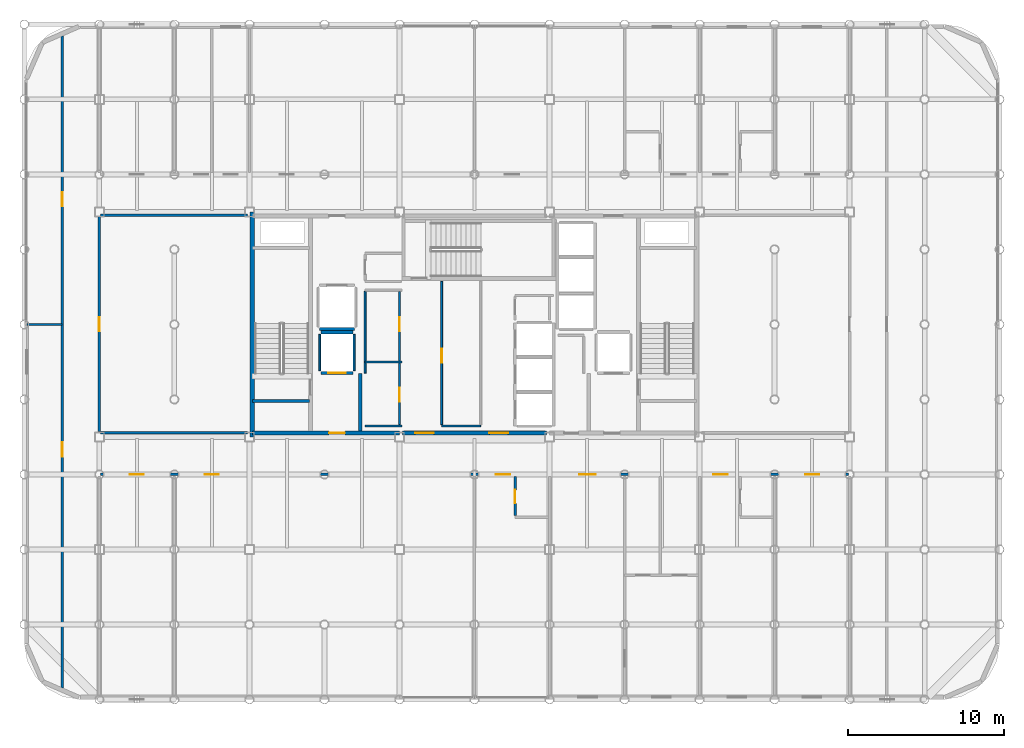
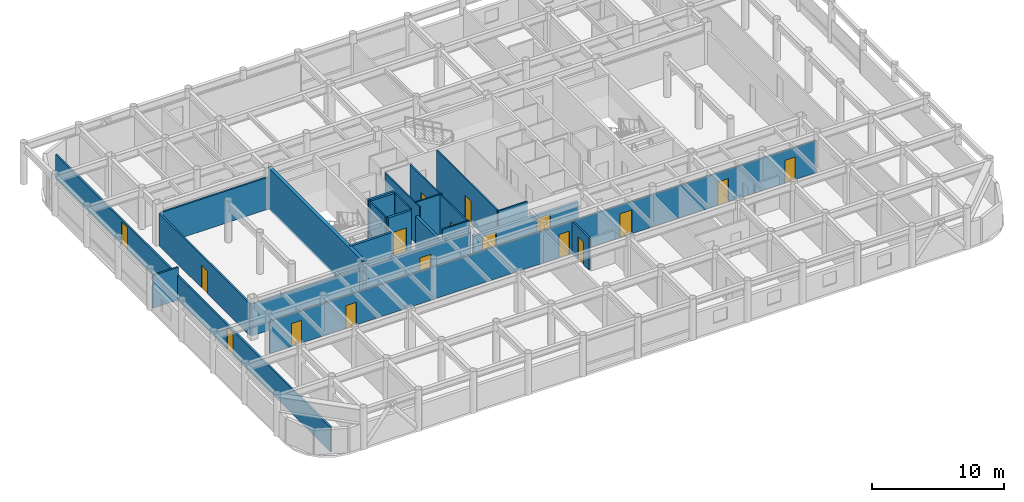
# One storey, part 17 of 21: 23 walls, 17 doors, 17 openings.
"""IFC4 building model written with IfcOpenShell, lengths in metres."""

from ifc_helpers import new_model, si_unit, direction, frame, frame_2d, origin, place, context, subcontext, project, spatial, rectangle, extrude, material, layer, layer_set, type_object, element, fill, save


model = new_model("IFC4")

# Units and contexts
model_context = context("Model", 3, precision=1e-05, world=origin(), true_north=direction((0.0, 1.0)))
body_context = subcontext(model_context, "Body", "Model", "MODEL_VIEW")
ifc_project = project(units=[si_unit("LENGTHUNIT", "METRE"), si_unit("AREAUNIT", "SQUARE_METRE"), si_unit("VOLUMEUNIT", "CUBIC_METRE"), si_unit("PLANEANGLEUNIT", "RADIAN"), si_unit("MASSUNIT", "GRAM", prefix="KILO")], contexts=[model_context])

# Site, building, storey
site_placement = place(None, origin())
site = spatial("IfcSite", under=ifc_project, at=site_placement, CompositionType="ELEMENT")
building_placement = place(site_placement, origin())
building = spatial("IfcBuilding", under=site, at=building_placement, Name="Kallvorn Hotel Tower", CompositionType="ELEMENT")
storey_placement = place(building_placement, frame((0.0, 0.0, 210.75)))
storey = spatial("IfcBuildingStorey", under=building, at=storey_placement, Name="L52", CompositionType="ELEMENT", Elevation=210.75)

# Wall
ifc_material_1 = material(Name="Concrete C50/60", Category="concrete")
ifc_layer_1 = layer(ifc_material_1, 0.300048828125)
ifc_layer_set_1 = layer_set([ifc_layer_1], Name="WL_CORE_300")
wall_type_1 = type_object("IfcWallType", Name="WL_CORE_300", PredefinedType="SHEAR", material=ifc_layer_set_1)
wall_1_placement = place(storey_placement, frame((-14.215087890625, -7.199951171875, -0.179931640625), z_axis=(0.0, 0.0, 1.0), x_axis=(0.0, 1.0, 0.0)))
element("IfcWall", 1, at=wall_1_placement, inside=storey, type_object=wall_type_1, Name="L52 Core West Shear Wall", PredefinedType="SHEAR", context=body_context, shape_type="SweptSolid", body=[
    extrude(rectangle(XDim=14.39990234375, YDim=0.300048828125, at=frame_2d((7.199951171875, 0.0))), origin(), (0.0, 0.0, 1.0), 3.849853515625),
])

# Wall, openings, doors
ifc_material_2 = material(Name="Fire-rated double-layer acoustic gypsum drywall EI 60")
ifc_layer_2 = layer(ifc_material_2, 0.159912109375)
ifc_layer_set_2 = layer_set([ifc_layer_2], Name="WL_DEMISE_160")
wall_type_2 = type_object("IfcWallType", Name="WL_DEMISE_160", PredefinedType="PARTITIONING", material=ifc_layer_set_2)
wall_2_placement = place(storey_placement, frame((-23.919921875, -9.60009765625, 0.0), z_axis=(0.0, 0.0, 1.0), x_axis=(1.0, 0.0, 0.0)))
wall_2 = element("IfcWall", 2, at=wall_2_placement, inside=storey, type_object=wall_type_2, Name="L52 Suite 5201 Deluxe King Room Partition", PredefinedType="PARTITIONING", context=body_context, shape_type="SweptSolid", body=[
    extrude(rectangle(XDim=47.83984375, YDim=0.159912109375, at=frame_2d((23.919921875, 0.0))), origin(), (0.0, 0.0, 1.0), 2.969970703125),
])
opening_1_placement = place(wall_2_placement, frame((1.8701171875, 0.0, 0.0)))
opening_1 = element("IfcOpeningElement", 3, at=opening_1_placement, cuts=wall_2, Name="Opening SVD1", PredefinedType="OPENING", context=body_context, shape_type="SweptSolid", body=[
    extrude(rectangle(XDim=0.89990234375, YDim=2.10009765625, at=frame_2d((0.449951171875, 1.050048828125))), frame((0.0, 0.094970703125, 0.0), z_axis=(0.0, -1.0, 0.0), x_axis=(1.0, 0.0, 0.0)), (0.0, 0.0, 1.0), 0.18994140625),
])
opening_2_placement = place(wall_2_placement, frame((45.070068359375, 0.0, 0.0)))
opening_2 = element("IfcOpeningElement", 4, at=opening_2_placement, cuts=wall_2, Name="Opening SVD1", PredefinedType="OPENING", context=body_context, shape_type="SweptSolid", body=[
    extrude(rectangle(XDim=0.89990234375, YDim=2.10009765625, at=frame_2d((0.449951171875, 1.050048828125))), frame((0.0, 0.094970703125, 0.0), z_axis=(0.0, -1.0, 0.0), x_axis=(1.0, 0.0, 0.0)), (0.0, 0.0, 1.0), 0.18994140625),
])
opening_3_placement = place(wall_2_placement, frame((6.669921875, 0.0, 0.0)))
opening_3 = element("IfcOpeningElement", 5, at=opening_3_placement, cuts=wall_2, Name="Opening SVD1", PredefinedType="OPENING", context=body_context, shape_type="SweptSolid", body=[
    extrude(rectangle(XDim=0.89990234375, YDim=2.10009765625, at=frame_2d((0.449951171875, 1.050048828125))), frame((0.0, 0.094970703125, 0.0), z_axis=(0.0, -1.0, 0.0), x_axis=(1.0, 0.0, 0.0)), (0.0, 0.0, 1.0), 0.18994140625),
])
opening_4_placement = place(wall_2_placement, frame((25.2900390625, 0.0, 0.0)))
opening_4 = element("IfcOpeningElement", 6, at=opening_4_placement, cuts=wall_2, Name="Opening GD1", PredefinedType="OPENING", context=body_context, shape_type="SweptSolid", body=[
    extrude(rectangle(XDim=0.919921875, YDim=2.14990234375, at=frame_2d((0.4599609375, 1.074951171875))), frame((0.0, 0.094970703125, 0.0), z_axis=(0.0, -1.0, 0.0), x_axis=(1.0, 0.0, 0.0)), (0.0, 0.0, 1.0), 0.18994140625),
])
opening_5_placement = place(wall_2_placement, frame((30.635009765625, 0.0, 0.0)))
opening_5 = element("IfcOpeningElement", 7, at=opening_5_placement, cuts=wall_2, Name="Opening GD2", PredefinedType="OPENING", context=body_context, shape_type="SweptSolid", body=[
    extrude(rectangle(XDim=1.050048828125, YDim=2.199951171875, at=frame_2d((0.52490234375, 1.10009765625))), frame((0.0, 0.094970703125, 0.0), z_axis=(0.0, -1.0, 0.0), x_axis=(1.0, 0.0, 0.0)), (0.0, 0.0, 1.0), 0.18994140625),
])
opening_6_placement = place(wall_2_placement, frame((39.195068359375, 0.0, 0.0)))
opening_6 = element("IfcOpeningElement", 8, at=opening_6_placement, cuts=wall_2, Name="Opening GD1", PredefinedType="OPENING", context=body_context, shape_type="SweptSolid", body=[
    extrude(rectangle(XDim=0.919921875, YDim=2.14990234375, at=frame_2d((0.4599609375, 1.074951171875))), frame((0.0, 0.094970703125, 0.0), z_axis=(0.0, -1.0, 0.0), x_axis=(1.0, 0.0, 0.0)), (0.0, 0.0, 1.0), 0.18994140625),
])
ifc_material_3 = material(Name="Solid-core walnut veneer fire-rated timber door leaf", Category="wood")
door_type_1 = type_object("IfcDoorType", Name="DR_GUEST_920x2150", OperationType="NOTDEFINED", PredefinedType="DOOR", material=ifc_material_3)
door_1_placement = place(opening_4_placement, origin())
door_1 = element("IfcDoor", 9, at=door_1_placement, inside=storey, type_object=door_type_1, Name="L52 Suite 5201 Deluxe King Room Door", OperationType="SINGLE_SWING_RIGHT", OverallHeight=2.14990234375, OverallWidth=0.919921875, PredefinedType="DOOR", context=body_context, shape_type="SweptSolid", body=[
    extrude(rectangle(XDim=0.919921875, YDim=2.14990234375, at=frame_2d((0.4599609375, 1.074951171875))), frame((0.0, 0.02490234375, 0.0), z_axis=(0.0, -1.0, 0.0), x_axis=(1.0, 0.0, 0.0)), (0.0, 0.0, 1.0), 0.050048828125),
])
fill(opening_4, door_1)
door_2_placement = place(opening_6_placement, origin())
door_2 = element("IfcDoor", 10, at=door_2_placement, inside=storey, type_object=door_type_1, Name="L52 Suite 5203 Superior Twin Room Door", OperationType="SINGLE_SWING_RIGHT", OverallHeight=2.14990234375, OverallWidth=0.919921875, PredefinedType="DOOR", context=body_context, shape_type="SweptSolid", body=[
    extrude(rectangle(XDim=0.919921875, YDim=2.14990234375, at=frame_2d((0.4599609375, 1.074951171875))), frame((0.0, 0.02490234375, 0.0), z_axis=(0.0, -1.0, 0.0), x_axis=(1.0, 0.0, 0.0)), (0.0, 0.0, 1.0), 0.050048828125),
])
fill(opening_6, door_2)
ifc_material_4 = material(Name="Galvanised painted steel fire-rated door assembly", Category="steel")
door_type_2 = type_object("IfcDoorType", Name="DR_SERV_900x2100", OperationType="NOTDEFINED", PredefinedType="DOOR", material=ifc_material_4)
door_3_placement = place(opening_1_placement, origin())
door_3 = element("IfcDoor", 11, at=door_3_placement, inside=storey, type_object=door_type_2, Name="L52 L52 High-Zone South-West Tea Bar Door", OperationType="SINGLE_SWING_LEFT", OverallHeight=2.10009765625, OverallWidth=0.89990234375, PredefinedType="DOOR", context=body_context, shape_type="SweptSolid", body=[
    extrude(rectangle(XDim=0.89990234375, YDim=2.10009765625, at=frame_2d((0.449951171875, 1.050048828125))), frame((0.0, 0.02490234375, 0.0), z_axis=(0.0, -1.0, 0.0), x_axis=(1.0, 0.0, 0.0)), (0.0, 0.0, 1.0), 0.050048828125),
])
fill(opening_1, door_3)
door_4_placement = place(opening_2_placement, origin())
door_4 = element("IfcDoor", 12, at=door_4_placement, inside=storey, type_object=door_type_2, Name="L52 L52 High-Zone South-East Wine Bar Door", OperationType="SINGLE_SWING_RIGHT", OverallHeight=2.10009765625, OverallWidth=0.89990234375, PredefinedType="DOOR", context=body_context, shape_type="SweptSolid", body=[
    extrude(rectangle(XDim=0.89990234375, YDim=2.10009765625, at=frame_2d((0.449951171875, 1.050048828125))), frame((0.0, 0.02490234375, 0.0), z_axis=(0.0, -1.0, 0.0), x_axis=(1.0, 0.0, 0.0)), (0.0, 0.0, 1.0), 0.050048828125),
])
fill(opening_2, door_4)
door_5_placement = place(opening_3_placement, origin())
door_5 = element("IfcDoor", 13, at=door_5_placement, inside=storey, type_object=door_type_2, Name="L52 L52 Executive Co-Working Open-Plan Office 1 Door", OperationType="SINGLE_SWING_LEFT", OverallHeight=2.10009765625, OverallWidth=0.89990234375, PredefinedType="DOOR", context=body_context, shape_type="SweptSolid", body=[
    extrude(rectangle(XDim=0.89990234375, YDim=2.10009765625, at=frame_2d((0.449951171875, 1.050048828125))), frame((0.0, 0.02490234375, 0.0), z_axis=(0.0, -1.0, 0.0), x_axis=(1.0, 0.0, 0.0)), (0.0, 0.0, 1.0), 0.050048828125),
])
fill(opening_3, door_5)
ifc_material_5 = material(Name="Solid-core walnut veneer fire-rated timber door leaf", Category="wood")
door_type_3 = type_object("IfcDoorType", Name="DR_SUITE_1050x2200", OperationType="NOTDEFINED", PredefinedType="DOOR", material=ifc_material_5)
door_6_placement = place(opening_5_placement, origin())
door_6 = element("IfcDoor", 14, at=door_6_placement, inside=storey, type_object=door_type_3, Name="L52 Suite 5202 Executive Living Salon Door", OperationType="SINGLE_SWING_LEFT", OverallHeight=2.199951171875, OverallWidth=1.050048828125, PredefinedType="DOOR", context=body_context, shape_type="SweptSolid", body=[
    extrude(rectangle(XDim=1.050048828125, YDim=2.199951171875, at=frame_2d((0.52490234375, 1.10009765625))), frame((0.0, 0.02490234375, 0.0), z_axis=(0.0, -1.0, 0.0), x_axis=(1.0, 0.0, 0.0)), (0.0, 0.0, 1.0), 0.050048828125),
])
fill(opening_5, door_6)

# Wall, opening, door
wall_3_placement = place(storey_placement, frame((2.59326171875, -12.235107421875, 0.0), z_axis=(0.0, 0.0, 1.0), x_axis=(0.0, 1.0, 0.0)))
wall_3 = element("IfcWall", 15, at=wall_3_placement, inside=storey, type_object=wall_type_2, Name="L52 Suite 5201 Deluxe King Room Partition", PredefinedType="PARTITIONING", context=body_context, shape_type="SweptSolid", body=[
    extrude(rectangle(XDim=2.51513671875, YDim=0.159912109375, at=frame_2d((1.257568359375, 0.0))), origin(), (0.0, 0.0, 1.0), 2.969970703125),
])
opening_7_placement = place(wall_3_placement, frame((0.784912109375, 0.0, 0.0)))
opening_7 = element("IfcOpeningElement", 16, at=opening_7_placement, cuts=wall_3, Name="Opening BD-I", PredefinedType="OPENING", context=body_context, shape_type="SweptSolid", body=[
    extrude(rectangle(XDim=0.860107421875, YDim=2.10009765625, at=frame_2d((0.43017578125, 1.050048828125))), frame((0.0, 0.094970703125, 0.0), z_axis=(0.0, -1.0, 0.0), x_axis=(1.0, 0.0, 0.0)), (0.0, 0.0, 1.0), 0.18994140625),
])
ifc_material_6 = material(Name="Solid-core walnut veneer fire-rated timber door leaf", Category="wood")
door_type_4 = type_object("IfcDoorType", Name="DR_BATH_860x2100", OperationType="NOTDEFINED", PredefinedType="DOOR", material=ifc_material_6)
door_7_placement = place(opening_7_placement, origin())
door_7 = element("IfcDoor", 17, at=door_7_placement, inside=storey, type_object=door_type_4, Name="L52 Suite 5201 En-Suite Bathroom Door", OperationType="SINGLE_SWING_LEFT", OverallHeight=2.10009765625, OverallWidth=0.860107421875, PredefinedType="DOOR", context=body_context, shape_type="SweptSolid", body=[
    extrude(rectangle(XDim=0.860107421875, YDim=2.10009765625, at=frame_2d((0.43017578125, 1.050048828125))), frame((0.0, 0.02490234375, 0.0), z_axis=(0.0, -1.0, 0.0), x_axis=(1.0, 0.0, 0.0)), (0.0, 0.0, 1.0), 0.050048828125),
])
fill(opening_7, door_7)

# Walls
ifc_material_7 = material(Name="Concrete C40/50", Category="concrete")
ifc_layer_3 = layer(ifc_material_7, 0.219970703125)
ifc_layer_set_3 = layer_set([ifc_layer_3], Name="WL_FFL_220")
wall_type_3 = type_object("IfcWallType", Name="WL_FFL_220", PredefinedType="SOLIDWALL", material=ifc_layer_set_3)
wall_4_placement = place(storey_placement, frame((-7.300048828125, -6.820068359375, 0.0), z_axis=(0.0, 0.0, 1.0), x_axis=(0.0, 1.0, 0.0)))
element("IfcWall", 18, at=wall_4_placement, inside=storey, type_object=wall_type_3, Name="L52 Firefighting Lobby West Divider Wall", PredefinedType="SOLIDWALL", context=body_context, shape_type="SweptSolid", body=[
    extrude(rectangle(XDim=3.670166015625, YDim=0.219970703125, at=frame_2d((1.8349609375, 0.0))), origin(), (0.0, 0.0, 1.0), 2.969970703125),
])
ifc_material_8 = material(Name="Concrete C40/50", Category="concrete")
ifc_layer_4 = layer(ifc_material_8, 0.199951171875)
ifc_layer_set_4 = layer_set([ifc_layer_4], Name="WL_HOIST_200")
wall_type_4 = type_object("IfcWallType", Name="WL_HOIST_200", PredefinedType="SOLIDWALL", material=ifc_layer_set_4)
wall_5_placement = place(storey_placement, frame((-14.199951171875, -4.89990234375, -0.179931640625), z_axis=(0.0, 0.0, 1.0), x_axis=(1.0, 0.0, 0.0)))
element("IfcWall", 19, at=wall_5_placement, inside=storey, type_object=wall_type_4, Name="L52 Stair ST1 South Wall", PredefinedType="SOLIDWALL", context=body_context, shape_type="SweptSolid", body=[
    extrude(rectangle(XDim=3.64990234375, YDim=0.199951171875, at=frame_2d((1.824951171875, 0.0))), origin(), (0.0, 0.0, 1.0), 3.849853515625),
])

# Wall, opening, door
wall_6_placement = place(storey_placement, frame((-9.820068359375, -3.10009765625, 0.0), z_axis=(0.0, 0.0, 1.0), x_axis=(1.0, 0.0, 0.0)))
wall_6 = element("IfcWall", 20, at=wall_6_placement, inside=storey, type_object=wall_type_4, Name="L52 FL-1 Landing Wall", PredefinedType="SOLIDWALL", context=body_context, shape_type="SweptSolid", body=[
    extrude(rectangle(XDim=2.0400390625, YDim=0.199951171875, at=frame_2d((1.02001953125, 0.0))), origin(), (0.0, 0.0, 1.0), 3.669921875),
])
opening_8_placement = place(wall_6_placement, frame((0.469970703125, 0.0, 0.0)))
opening_8 = element("IfcOpeningElement", 21, at=opening_8_placement, cuts=wall_6, Name="Opening LD-FL-1", PredefinedType="OPENING", context=body_context, shape_type="SweptSolid", body=[
    extrude(rectangle(XDim=1.10009765625, YDim=2.199951171875, at=frame_2d((0.550048828125, 1.10009765625))), frame((0.0, 0.114990234375, 0.0), z_axis=(0.0, -1.0, 0.0), x_axis=(1.0, 0.0, 0.0)), (0.0, 0.0, 1.0), 0.22998046875),
])
ifc_material_9 = material(Name="Brushed stainless-steel automatic sliding lift landing door", Category="steel")
door_type_5 = type_object("IfcDoorType", Name="LD_PASS_1100x2200", OperationType="SLIDING_TO_LEFT", PredefinedType="DOOR", material=ifc_material_9)
door_8_placement = place(opening_8_placement, origin())
door_8 = element("IfcDoor", 22, at=door_8_placement, inside=storey, type_object=door_type_5, Name="L52 Lift Landing Sliding Door LD-FL-1", OperationType="SLIDING_TO_LEFT", OverallHeight=2.199951171875, OverallWidth=1.10009765625, PredefinedType="DOOR", context=body_context, shape_type="SweptSolid", body=[
    extrude(rectangle(XDim=1.10009765625, YDim=2.199951171875, at=frame_2d((0.550048828125, 1.10009765625))), frame((0.0, 0.02490234375, 0.0), z_axis=(0.0, -1.0, 0.0), x_axis=(1.0, 0.0, 0.0)), (0.0, 0.0, 1.0), 0.050048828125),
])
fill(opening_8, door_8)

# Walls
wall_7_placement = place(storey_placement, frame((-9.820068359375, -0.5, 0.0), z_axis=(0.0, 0.0, 1.0), x_axis=(1.0, 0.0, 0.0)))
element("IfcWall", 23, at=wall_7_placement, inside=storey, type_object=wall_type_4, Name="L52 FL-1 Rear Shaft Wall", PredefinedType="SOLIDWALL", context=body_context, shape_type="SweptSolid", body=[
    extrude(rectangle(XDim=2.0400390625, YDim=0.199951171875, at=frame_2d((1.02001953125, 0.0))), origin(), (0.0, 0.0, 1.0), 3.669921875),
])
wall_8_placement = place(storey_placement, frame((-9.919921875, -0.300048828125, 0.0), z_axis=(0.0, 0.0, 1.0), x_axis=(1.0, 0.0, 0.0)))
element("IfcWall", 24, at=wall_8_placement, inside=storey, type_object=wall_type_4, Name="L52 SV-01 Rear Shaft Wall", PredefinedType="SOLIDWALL", context=body_context, shape_type="SweptSolid", body=[
    extrude(rectangle(XDim=2.239990234375, YDim=0.199951171875, at=frame_2d((1.1201171875, 0.0))), origin(), (0.0, 0.0, 1.0), 3.669921875),
])
ifc_material_10 = material(Name="Fire-rated double-layer acoustic gypsum drywall EI 60")
ifc_layer_5 = layer(ifc_material_10, 0.1201171875)
ifc_layer_set_5 = layer_set([ifc_layer_5], Name="WL_INT_120")
wall_type_5 = type_object("IfcWallType", Name="WL_INT_120", PredefinedType="PARTITIONING", material=ifc_layer_set_5)
for number, where, z_axis, x_axis, name in (
    (25, (-9.89990234375, -2.9599609375, 0.0), (0.0, 0.0, 1.0), (0.0, 1.0, 0.0), "L52 FL-1 West Shaft Wall"),
    (26, (-7.699951171875, -2.9599609375, 0.0), (0.0, 0.0, 1.0), (0.0, 1.0, 0.0), "L52 FL-1 East Shaft Wall"),
):
    element("IfcWall", number, at=place(storey_placement, frame(where, z_axis=z_axis, x_axis=x_axis)), inside=storey, type_object=wall_type_5, Name=name, PredefinedType="PARTITIONING", context=body_context, shape_type="SweptSolid", body=[
        extrude(rectangle(XDim=2.320068359375, YDim=0.1201171875, at=frame_2d((1.16015625, 0.0))), origin(), (0.0, 0.0, 1.0), 3.669921875),
    ])
wall_9_placement = place(storey_placement, frame((-7.0, -6.5, 0.0), z_axis=(0.0, 0.0, 1.0), x_axis=(1.0, 0.0, 0.0)))
element("IfcWall", 27, at=wall_9_placement, inside=storey, type_object=wall_type_5, Name="L52 Recaptured South Minibar Pantry Partition", PredefinedType="PARTITIONING", context=body_context, shape_type="SweptSolid", body=[
    extrude(rectangle(XDim=2.35009765625, YDim=0.1201171875, at=frame_2d((1.175048828125, 0.0))), origin(), (0.0, 0.0, 1.0), 3.669921875),
])
wall_10_placement = place(storey_placement, frame((-2.10009765625, -6.5, 0.0), z_axis=(0.0, 0.0, 1.0), x_axis=(1.0, 0.0, 0.0)))
element("IfcWall", 28, at=wall_10_placement, inside=storey, type_object=wall_type_5, Name="L52 Altitude Executive Pantry and Ice Room Partition", PredefinedType="PARTITIONING", context=body_context, shape_type="SweptSolid", body=[
    extrude(rectangle(XDim=2.5, YDim=0.1201171875, at=frame_2d((1.25, 0.0))), origin(), (0.0, 0.0, 1.0), 3.669921875),
])
wall_11_placement = place(storey_placement, frame((-7.0, -2.39990234375, 0.0), z_axis=(0.0, 0.0, 1.0), x_axis=(1.0, 0.0, 0.0)))
element("IfcWall", 29, at=wall_11_placement, inside=storey, type_object=wall_type_5, Name="L52 Recaptured Central Linen Store Partition", PredefinedType="PARTITIONING", context=body_context, shape_type="SweptSolid", body=[
    extrude(rectangle(XDim=2.35009765625, YDim=0.1201171875, at=frame_2d((1.175048828125, 0.0))), origin(), (0.0, 0.0, 1.0), 3.669921875),
])
wall_12_placement = place(storey_placement, frame((-7.0, -3.110107421875, 0.0), z_axis=(0.0, 0.0, 1.0), x_axis=(0.0, 1.0, 0.0)))
element("IfcWall", 30, at=wall_12_placement, inside=storey, type_object=wall_type_5, Name="L52 Recaptured South Minibar Pantry Partition", PredefinedType="PARTITIONING", context=body_context, shape_type="SweptSolid", body=[
    extrude(rectangle(XDim=5.22509765625, YDim=0.1201171875, at=frame_2d((2.612548828125, 0.0))), origin(), (0.0, 0.0, 1.0), 3.669921875),
])

# Wall, openings, doors
wall_13_placement = place(storey_placement, frame((-4.800048828125, -6.4150390625, 0.0), z_axis=(0.0, 0.0, 1.0), x_axis=(0.0, 1.0, 0.0)))
wall_13 = element("IfcWall", 31, at=wall_13_placement, inside=storey, type_object=wall_type_5, Name="L52 Recaptured South Minibar Pantry Partition", PredefinedType="PARTITIONING", context=body_context, shape_type="SweptSolid", body=[
    extrude(rectangle(XDim=8.530029296875, YDim=0.1201171875, at=frame_2d((4.26513671875, 0.0))), origin(), (0.0, 0.0, 1.0), 3.669921875),
])
opening_9_placement = place(wall_13_placement, frame((1.465087890625, 0.0, 0.0)))
opening_9 = element("IfcOpeningElement", 32, at=opening_9_placement, cuts=wall_13, Name="Opening SVD1", PredefinedType="OPENING", context=body_context, shape_type="SweptSolid", body=[
    extrude(rectangle(XDim=0.89990234375, YDim=2.10009765625, at=frame_2d((0.449951171875, 1.050048828125))), frame((0.0, 0.074951171875, 0.0), z_axis=(0.0, -1.0, 0.0), x_axis=(1.0, 0.0, 0.0)), (0.0, 0.0, 1.0), 0.150146484375),
])
opening_10_placement = place(wall_13_placement, frame((5.965087890625, 0.0, 0.0)))
opening_10 = element("IfcOpeningElement", 33, at=opening_10_placement, cuts=wall_13, Name="Opening SVD1", PredefinedType="OPENING", context=body_context, shape_type="SweptSolid", body=[
    extrude(rectangle(XDim=0.89990234375, YDim=2.10009765625, at=frame_2d((0.449951171875, 1.050048828125))), frame((0.0, 0.074951171875, 0.0), z_axis=(0.0, -1.0, 0.0), x_axis=(1.0, 0.0, 0.0)), (0.0, 0.0, 1.0), 0.150146484375),
])
door_9_placement = place(opening_9_placement, origin())
door_9 = element("IfcDoor", 34, at=door_9_placement, inside=storey, type_object=door_type_2, Name="L52 Recaptured South Minibar Pantry Door", OperationType="SINGLE_SWING_RIGHT", OverallHeight=2.10009765625, OverallWidth=0.89990234375, PredefinedType="DOOR", context=body_context, shape_type="SweptSolid", body=[
    extrude(rectangle(XDim=0.89990234375, YDim=2.10009765625, at=frame_2d((0.449951171875, 1.050048828125))), frame((0.0, 0.02490234375, 0.0), z_axis=(0.0, -1.0, 0.0), x_axis=(1.0, 0.0, 0.0)), (0.0, 0.0, 1.0), 0.050048828125),
])
fill(opening_9, door_9)
door_10_placement = place(opening_10_placement, origin())
door_10 = element("IfcDoor", 35, at=door_10_placement, inside=storey, type_object=door_type_2, Name="L52 Recaptured Central Linen Store Door", OperationType="SINGLE_SWING_LEFT", OverallHeight=2.10009765625, OverallWidth=0.89990234375, PredefinedType="DOOR", context=body_context, shape_type="SweptSolid", body=[
    extrude(rectangle(XDim=0.89990234375, YDim=2.10009765625, at=frame_2d((0.449951171875, 1.050048828125))), frame((0.0, 0.02490234375, 0.0), z_axis=(0.0, -1.0, 0.0), x_axis=(1.0, 0.0, 0.0)), (0.0, 0.0, 1.0), 0.050048828125),
])
fill(opening_10, door_10)

# Wall, opening, door
wall_14_placement = place(storey_placement, frame((-2.10009765625, -6.4150390625, 0.0), z_axis=(0.0, 0.0, 1.0), x_axis=(0.0, 1.0, 0.0)))
wall_14 = element("IfcWall", 36, at=wall_14_placement, inside=storey, type_object=wall_type_5, Name="L52 Altitude Executive Pantry and Ice Room Partition", PredefinedType="PARTITIONING", context=body_context, shape_type="SweptSolid", body=[
    extrude(rectangle(XDim=9.1650390625, YDim=0.1201171875, at=frame_2d((4.58251953125, 0.0))), origin(), (0.0, 0.0, 1.0), 3.669921875),
])
opening_11_placement = place(wall_14_placement, frame((3.965087890625, 0.0, 0.0)))
opening_11 = element("IfcOpeningElement", 37, at=opening_11_placement, cuts=wall_14, Name="Opening SVD1", PredefinedType="OPENING", context=body_context, shape_type="SweptSolid", body=[
    extrude(rectangle(XDim=0.89990234375, YDim=2.10009765625, at=frame_2d((0.449951171875, 1.050048828125))), frame((0.0, 0.074951171875, 0.0), z_axis=(0.0, -1.0, 0.0), x_axis=(1.0, 0.0, 0.0)), (0.0, 0.0, 1.0), 0.150146484375),
])
door_11_placement = place(opening_11_placement, origin())
door_11 = element("IfcDoor", 38, at=door_11_placement, inside=storey, type_object=door_type_2, Name="L52 Altitude Executive Pantry and Ice Room Door", OperationType="SINGLE_SWING_RIGHT", OverallHeight=2.10009765625, OverallWidth=0.89990234375, PredefinedType="DOOR", context=body_context, shape_type="SweptSolid", body=[
    extrude(rectangle(XDim=0.89990234375, YDim=2.10009765625, at=frame_2d((0.449951171875, 1.050048828125))), frame((0.0, 0.02490234375, 0.0), z_axis=(0.0, -1.0, 0.0), x_axis=(1.0, 0.0, 0.0)), (0.0, 0.0, 1.0), 0.050048828125),
])
fill(opening_11, door_11)

# Walls
ifc_material_11 = material(Name="Fire-rated double-layer acoustic gypsum drywall EI 60")
ifc_layer_6 = layer(ifc_material_11, 0.14990234375)
ifc_layer_set_6 = layer_set([ifc_layer_6], Name="WL_PART_150")
wall_type_6 = type_object("IfcWallType", Name="WL_PART_150", PredefinedType="PARTITIONING", material=ifc_layer_set_6)
wall_15_placement = place(storey_placement, frame((-23.919921875, -6.919921875, 0.0), z_axis=(0.0, 0.0, 1.0), x_axis=(1.0, 0.0, 0.0)))
element("IfcWall", 39, at=wall_15_placement, inside=storey, type_object=wall_type_6, Name="L52 L52 High-Zone Inner West Club Bar Partition", PredefinedType="PARTITIONING", context=body_context, shape_type="SweptSolid", body=[
    extrude(rectangle(XDim=9.39990234375, YDim=0.14990234375, at=frame_2d((4.699951171875, 0.0))), origin(), (0.0, 0.0, 1.0), 2.969970703125),
])
wall_16_placement = place(storey_placement, frame((-28.6298828125, 0.0, 0.0), z_axis=(0.0, 0.0, 1.0), x_axis=(1.0, 0.0, 0.0)))
element("IfcWall", 40, at=wall_16_placement, inside=storey, type_object=wall_type_6, Name="L52 L52 Outer West North Fitness Club Partition", PredefinedType="PARTITIONING", context=body_context, shape_type="SweptSolid", body=[
    extrude(rectangle(XDim=2.25, YDim=0.14990234375, at=frame_2d((1.125, 0.0))), origin(), (0.0, 0.0, 1.0), 3.02001953125),
])
wall_17_placement = place(storey_placement, frame((-23.919921875, 6.97998046875, 0.0), z_axis=(0.0, 0.0, 1.0), x_axis=(1.0, 0.0, 0.0)))
element("IfcWall", 41, at=wall_17_placement, inside=storey, type_object=wall_type_6, Name="L52 L52 High-Zone Inner West Club Bar Partition", PredefinedType="PARTITIONING", context=body_context, shape_type="SweptSolid", body=[
    extrude(rectangle(XDim=9.39990234375, YDim=0.14990234375, at=frame_2d((4.699951171875, 0.0))), origin(), (0.0, 0.0, 1.0), 2.969970703125),
])

# Wall, openings, doors
wall_18_placement = place(storey_placement, frame((-26.3798828125, -23.247314453125, 0.0), z_axis=(0.0, 0.0, 1.0), x_axis=(0.0, 1.0, 0.0)))
wall_18 = element("IfcWall", 42, at=wall_18_placement, inside=storey, type_object=wall_type_6, Name="L52 L52 Outer West South Cocktail Bar Partition", PredefinedType="PARTITIONING", context=body_context, shape_type="SweptSolid", body=[
    extrude(rectangle(XDim=41.694580078125, YDim=0.14990234375, at=frame_2d((20.84716796875, 0.0))), origin(), (0.0, 0.0, 1.0), 2.27001953125),
])
opening_12_placement = place(wall_18_placement, frame((14.79736328125, 0.0, 0.0)))
opening_12 = element("IfcOpeningElement", 43, at=opening_12_placement, cuts=wall_18, Name="Opening SVD1", PredefinedType="OPENING", context=body_context, shape_type="SweptSolid", body=[
    extrude(rectangle(XDim=0.89990234375, YDim=2.10009765625, at=frame_2d((0.449951171875, 1.050048828125))), frame((0.0, 0.08984375, 0.0), z_axis=(0.0, -1.0, 0.0), x_axis=(1.0, 0.0, 0.0)), (0.0, 0.0, 1.0), 0.179931640625),
])
opening_13_placement = place(wall_18_placement, frame((30.79736328125, 0.0, 0.0)))
opening_13 = element("IfcOpeningElement", 44, at=opening_13_placement, cuts=wall_18, Name="Opening SVD1", PredefinedType="OPENING", context=body_context, shape_type="SweptSolid", body=[
    extrude(rectangle(XDim=0.89990234375, YDim=2.10009765625, at=frame_2d((0.449951171875, 1.050048828125))), frame((0.0, 0.08984375, 0.0), z_axis=(0.0, -1.0, 0.0), x_axis=(1.0, 0.0, 0.0)), (0.0, 0.0, 1.0), 0.179931640625),
])
door_12_placement = place(opening_12_placement, origin())
door_12 = element("IfcDoor", 45, at=door_12_placement, inside=storey, type_object=door_type_2, Name="L52 L52 Outer West South Cocktail Bar Door", OperationType="SINGLE_SWING_RIGHT", OverallHeight=2.10009765625, OverallWidth=0.89990234375, PredefinedType="DOOR", context=body_context, shape_type="SweptSolid", body=[
    extrude(rectangle(XDim=0.89990234375, YDim=2.10009765625, at=frame_2d((0.449951171875, 1.050048828125))), frame((0.0, 0.02490234375, 0.0), z_axis=(0.0, -1.0, 0.0), x_axis=(1.0, 0.0, 0.0)), (0.0, 0.0, 1.0), 0.050048828125),
])
fill(opening_12, door_12)
door_13_placement = place(opening_13_placement, origin())
door_13 = element("IfcDoor", 46, at=door_13_placement, inside=storey, type_object=door_type_2, Name="L52 L52 Outer West North Fitness Club Door", OperationType="SINGLE_SWING_LEFT", OverallHeight=2.10009765625, OverallWidth=0.89990234375, PredefinedType="DOOR", context=body_context, shape_type="SweptSolid", body=[
    extrude(rectangle(XDim=0.89990234375, YDim=2.10009765625, at=frame_2d((0.449951171875, 1.050048828125))), frame((0.0, 0.02490234375, 0.0), z_axis=(0.0, -1.0, 0.0), x_axis=(1.0, 0.0, 0.0)), (0.0, 0.0, 1.0), 0.050048828125),
])
fill(opening_13, door_13)

# Wall, opening, door
wall_19_placement = place(storey_placement, frame((-24.0, -6.8349609375, 0.0), z_axis=(0.0, 0.0, 1.0), x_axis=(0.0, 1.0, 0.0)))
wall_19 = element("IfcWall", 47, at=wall_19_placement, inside=storey, type_object=wall_type_6, Name="L52 L52 High-Zone Inner West Club Bar Partition", PredefinedType="PARTITIONING", context=body_context, shape_type="SweptSolid", body=[
    extrude(rectangle(XDim=13.72998046875, YDim=0.14990234375, at=frame_2d((6.864990234375, 0.0))), origin(), (0.0, 0.0, 1.0), 2.969970703125),
])
opening_14_placement = place(wall_19_placement, frame((6.385009765625, 0.0, 0.0)))
opening_14 = element("IfcOpeningElement", 48, at=opening_14_placement, cuts=wall_19, Name="Opening SVD1", PredefinedType="OPENING", context=body_context, shape_type="SweptSolid", body=[
    extrude(rectangle(XDim=0.89990234375, YDim=2.10009765625, at=frame_2d((0.449951171875, 1.050048828125))), frame((0.0, 0.08984375, 0.0), z_axis=(0.0, -1.0, 0.0), x_axis=(1.0, 0.0, 0.0)), (0.0, 0.0, 1.0), 0.179931640625),
])
door_14_placement = place(opening_14_placement, origin())
door_14 = element("IfcDoor", 49, at=door_14_placement, inside=storey, type_object=door_type_2, Name="L52 L52 High-Zone Inner West Club Bar Door", OperationType="SINGLE_SWING_RIGHT", OverallHeight=2.10009765625, OverallWidth=0.89990234375, PredefinedType="DOOR", context=body_context, shape_type="SweptSolid", body=[
    extrude(rectangle(XDim=0.89990234375, YDim=2.10009765625, at=frame_2d((0.449951171875, 1.050048828125))), frame((0.0, 0.02490234375, 0.0), z_axis=(0.0, -1.0, 0.0), x_axis=(1.0, 0.0, 0.0)), (0.0, 0.0, 1.0), 0.050048828125),
])
fill(opening_14, door_14)

ifc_material_12 = material(Name="Concrete C40/50", Category="concrete")
ifc_layer_7 = layer(ifc_material_12, 0.25)
ifc_layer_set_7 = layer_set([ifc_layer_7], Name="WL_SHAFT_250")
wall_type_7 = type_object("IfcWallType", Name="WL_SHAFT_250", PredefinedType="SOLIDWALL", material=ifc_layer_set_7)
wall_20_placement = place(storey_placement, frame((-14.199951171875, -6.949951171875, 0.0), z_axis=(0.0, 0.0, 1.0), x_axis=(1.0, 0.0, 0.0)))
wall_20 = element("IfcWall", 50, at=wall_20_placement, inside=storey, type_object=wall_type_7, Name="L52 Core South-West Wall", PredefinedType="SOLIDWALL", context=body_context, shape_type="SweptSolid", body=[
    extrude(rectangle(XDim=9.39990234375, YDim=0.25, at=frame_2d((4.699951171875, 0.0))), origin(), (0.0, 0.0, 1.0), 2.969970703125),
])
opening_15_placement = place(wall_20_placement, frame((4.89990234375, 0.0, 0.0)))
opening_15 = element("IfcOpeningElement", 51, at=opening_15_placement, cuts=wall_20, Name="Opening FD1", PredefinedType="OPENING", context=body_context, shape_type="SweptSolid", body=[
    extrude(rectangle(XDim=1.0, YDim=2.14990234375, at=frame_2d((0.5, 1.074951171875))), frame((0.0, 0.139892578125, 0.0), z_axis=(0.0, -1.0, 0.0), x_axis=(1.0, 0.0, 0.0)), (0.0, 0.0, 1.0), 0.280029296875),
])
ifc_material_13 = material(Name="Galvanised painted steel fire-rated door assembly", Category="steel")
door_type_6 = type_object("IfcDoorType", Name="DR_FFL_1000x2150", OperationType="NOTDEFINED", PredefinedType="DOOR", material=ifc_material_13)
door_15_placement = place(opening_15_placement, origin())
door_15 = element("IfcDoor", 52, at=door_15_placement, inside=storey, type_object=door_type_6, Name="L52 Firefighting Lobby West Door", OperationType="SINGLE_SWING_LEFT", OverallHeight=2.14990234375, OverallWidth=1.0, PredefinedType="DOOR", context=body_context, shape_type="SweptSolid", body=[
    extrude(rectangle(XDim=1.0, YDim=2.14990234375, at=frame_2d((0.5, 1.074951171875))), frame((0.0, 0.02490234375, 0.0), z_axis=(0.0, -1.0, 0.0), x_axis=(1.0, 0.0, 0.0)), (0.0, 0.0, 1.0), 0.050048828125),
])
fill(opening_15, door_15)

# Wall, openings, doors
wall_21_placement = place(storey_placement, frame((-4.60009765625, -6.949951171875, 0.0), z_axis=(0.0, 0.0, 1.0), x_axis=(1.0, 0.0, 0.0)))
wall_21 = element("IfcWall", 53, at=wall_21_placement, inside=storey, type_object=wall_type_7, Name="L52 Core South-Central Wall", PredefinedType="SOLIDWALL", context=body_context, shape_type="SweptSolid", body=[
    extrude(rectangle(XDim=9.2001953125, YDim=0.25, at=frame_2d((4.60009765625, 0.0))), origin(), (0.0, 0.0, 1.0), 2.469970703125),
])
opening_16_placement = place(wall_21_placement, frame((0.800048828125, 0.0, 0.0)))
opening_16 = element("IfcOpeningElement", 54, at=opening_16_placement, cuts=wall_21, Name="Opening FD2", PredefinedType="OPENING", context=body_context, shape_type="SweptSolid", body=[
    extrude(rectangle(XDim=1.199951171875, YDim=2.199951171875, at=frame_2d((0.60009765625, 1.10009765625))), frame((0.0, 0.139892578125, 0.0), z_axis=(0.0, -1.0, 0.0), x_axis=(1.0, 0.0, 0.0)), (0.0, 0.0, 1.0), 0.280029296875),
])
opening_17_placement = place(wall_21_placement, frame((5.550048828125, 0.0, 0.0)))
opening_17 = element("IfcOpeningElement", 55, at=opening_17_placement, cuts=wall_21, Name="Opening FD2", PredefinedType="OPENING", context=body_context, shape_type="SweptSolid", body=[
    extrude(rectangle(XDim=1.199951171875, YDim=2.199951171875, at=frame_2d((0.60009765625, 1.10009765625))), frame((0.0, 0.139892578125, 0.0), z_axis=(0.0, -1.0, 0.0), x_axis=(1.0, 0.0, 0.0)), (0.0, 0.0, 1.0), 0.280029296875),
])
ifc_material_14 = material(Name="Galvanised painted steel fire-rated door assembly", Category="steel")
door_type_7 = type_object("IfcDoorType", Name="DR_LOBBY_1200x2200", OperationType="DOUBLE_DOOR_SINGLE_SWING", PredefinedType="DOOR", material=ifc_material_14)
door_16_placement = place(opening_16_placement, origin())
door_16 = element("IfcDoor", 56, at=door_16_placement, inside=storey, type_object=door_type_7, Name="L52 West Passenger Lift Lobby Door", OperationType="DOUBLE_DOOR_SINGLE_SWING", OverallHeight=2.199951171875, OverallWidth=1.199951171875, PredefinedType="DOOR", context=body_context, shape_type="SweptSolid", body=[
    extrude(rectangle(XDim=1.199951171875, YDim=2.199951171875, at=frame_2d((0.60009765625, 1.10009765625))), frame((0.0, 0.02490234375, 0.0), z_axis=(0.0, -1.0, 0.0), x_axis=(1.0, 0.0, 0.0)), (0.0, 0.0, 1.0), 0.050048828125),
])
fill(opening_16, door_16)
door_17_placement = place(opening_17_placement, origin())
door_17 = element("IfcDoor", 57, at=door_17_placement, inside=storey, type_object=door_type_7, Name="L52 East Passenger Lift Lobby Door", OperationType="DOUBLE_DOOR_SINGLE_SWING", OverallHeight=2.199951171875, OverallWidth=1.199951171875, PredefinedType="DOOR", context=body_context, shape_type="SweptSolid", body=[
    extrude(rectangle(XDim=1.199951171875, YDim=2.199951171875, at=frame_2d((0.60009765625, 1.10009765625))), frame((0.0, 0.02490234375, 0.0), z_axis=(0.0, -1.0, 0.0), x_axis=(1.0, 0.0, 0.0)), (0.0, 0.0, 1.0), 0.050048828125),
])
fill(opening_17, door_17)

save(model, "model.ifc")
